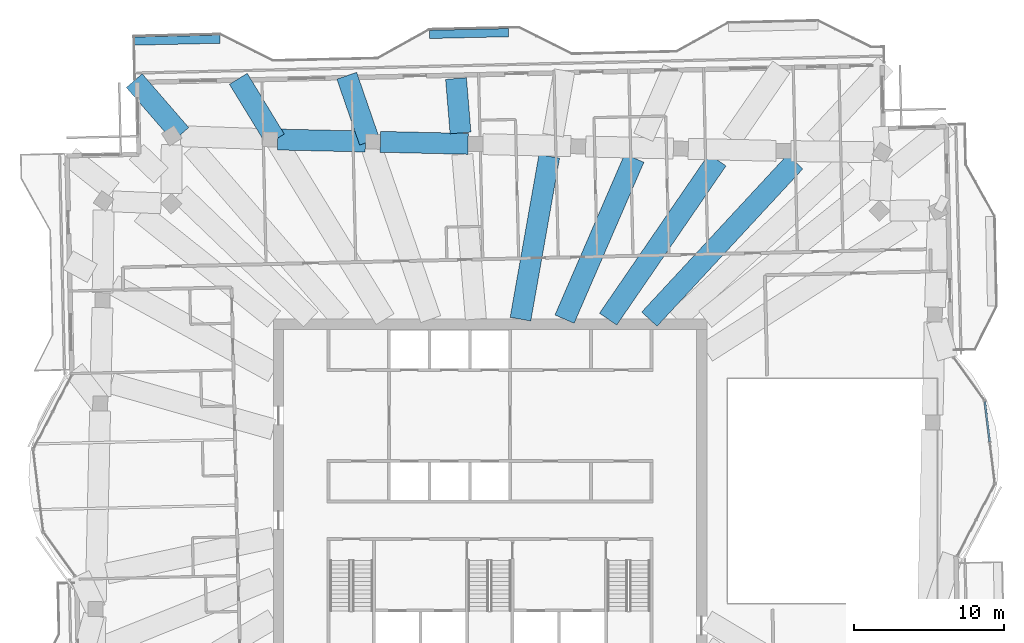
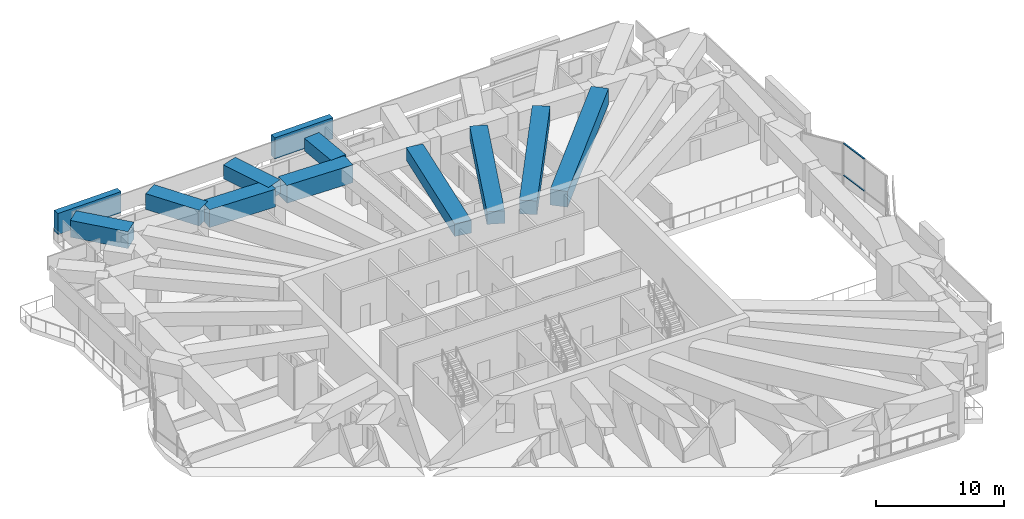
# One storey, part 6 of 21: 10 beams, 4 members, 1 element without a shape of its own.
"""IFC4 building model written with IfcOpenShell, lengths in metres."""

import ifcopenshell
import ifcopenshell.guid

model = None  # the IFC model being written
_history = None  # IfcOwnerHistory: only IFC2X3 demands one
_inside = {}  # id of a spatial element -> (the spatial element, [elements in it])
_under = {}  # id of a project, library or spatial element -> (it, [spatial elements below it])
_declared = {}  # id of a project -> (the project, [libraries it declares])
_typed = {}  # id of a type object -> (the type object, [elements of that type])
_made_of = {}  # id of a material, layer set ... -> (it, [elements and type objects made of it])


def new_model(schema):
    """Start an empty IFC model of exactly this schema.

    Asked for "IFC4X3", IfcOpenShell would pick the latest addendum, in which some entities
    have other attributes; the version numbers below select the first issue.
    IFC2X3 requires an IfcOwnerHistory on every rooted entity: one is made here for all.
    """
    global model, _history
    if schema == "IFC4X3":
        model = ifcopenshell.file(schema_version=(4, 3, 0, 0))
    else:
        model = ifcopenshell.file(schema=schema)
    _inside.clear()
    _under.clear()
    _declared.clear()
    _typed.clear()
    _made_of.clear()
    _history = None
    if model.schema == "IFC2X3":
        org = make("IfcOrganization", Name="unknown")
        user = make(
            "IfcPersonAndOrganization",
            ThePerson=make("IfcPerson", FamilyName="unknown"),
            TheOrganization=org,
        )
        app = make(
            "IfcApplication",
            ApplicationDeveloper=org,
            Version="unknown",
            ApplicationFullName="unknown",
            ApplicationIdentifier="unknown",
        )
        _history = make(
            "IfcOwnerHistory",
            OwningUser=user,
            OwningApplication=app,
            ChangeAction="ADDED",
            CreationDate=0,
        )
    return model


def make(cls, **values):
    """One entity of the class cls with the attributes given. An attribute that is None is left unset."""
    return model.create_entity(
        cls, **{name: value for name, value in values.items() if value is not None}
    )


def rooted(cls, **values):
    """An entity with a GlobalId (a new one), such as an element, a storey or a relation."""
    return make(cls, GlobalId=ifcopenshell.guid.new(), OwnerHistory=_history, **values)


def si_unit(unit_type, name, prefix=None):
    """IfcSIUnit, for example si_unit("LENGTHUNIT", "METRE", prefix="MILLI")."""
    return make("IfcSIUnit", UnitType=unit_type, Prefix=prefix, Name=name)


def assignment(units):
    """IfcUnitAssignment: the units of a project."""
    return None if units is None else make("IfcUnitAssignment", Units=units)


def point(xyz):
    """IfcCartesianPoint."""
    return None if xyz is None else make("IfcCartesianPoint", Coordinates=xyz)


def direction(xyz):
    """IfcDirection."""
    return None if xyz is None else make("IfcDirection", DirectionRatios=xyz)


def frame(location, z_axis=None, x_axis=None):
    """IfcAxis2Placement3D, a coordinate frame: its origin and axes. An axis left out is left unset."""
    return make(
        "IfcAxis2Placement3D",
        Location=point(location),
        Axis=direction(z_axis),
        RefDirection=direction(x_axis),
    )


def frame_2d(location, x_axis=None):
    """IfcAxis2Placement2D, a coordinate frame in the plane: its origin and x axis."""
    return make(
        "IfcAxis2Placement2D", Location=point(location), RefDirection=direction(x_axis)
    )


def origin():
    """The frame at (0, 0, 0) with its axes left unset."""
    return frame((0.0, 0.0, 0.0))


def origin_2d():
    """The frame at (0, 0) in the plane with its x axis left unset."""
    return frame_2d((0.0, 0.0))


def place(relative_to, where):
    """IfcLocalPlacement: puts the frame where relative to a parent placement (None: the world)."""
    return make(
        "IfcLocalPlacement", PlacementRelTo=relative_to, RelativePlacement=where
    )


def context(
    kind, dimensions, precision=None, world=None, true_north=None, identifier=None
):
    """IfcGeometricRepresentationContext, for example the 3D "Model" context."""
    return make(
        "IfcGeometricRepresentationContext",
        ContextIdentifier=identifier,
        ContextType=kind,
        CoordinateSpaceDimension=dimensions,
        Precision=precision,
        WorldCoordinateSystem=world,
        TrueNorth=true_north,
    )


def subcontext(parent, identifier, kind, view, scale=None):
    """IfcGeometricRepresentationSubContext, for example "Body" below "Model"."""
    return make(
        "IfcGeometricRepresentationSubContext",
        ContextIdentifier=identifier,
        ContextType=kind,
        ParentContext=parent,
        TargetScale=scale,
        TargetView=view,
    )


def project(units=None, contexts=None):
    """IfcProject with its units and contexts."""
    return rooted(
        "IfcProject",
        Name="project",
        RepresentationContexts=contexts,
        UnitsInContext=assignment(units),
    )


def spatial(cls, under=None, at=None, **own):
    """A site, building, storey or space (cls), placed at a placement, below another one or the project."""
    s = rooted(cls, ObjectPlacement=at, **own)
    if under is not None:
        _under.setdefault(under.id(), (under, []))[1].append(s)
    return s


def profile(cls, at=None, kind="AREA", **sizes):
    """A parametric profile (cls). Its sizes go by their IFC names, for example OverallWidth=200.0."""
    return make(cls, ProfileType=kind, Position=at, **sizes)


def rectangle(**sizes):
    """IfcRectangleProfileDef."""
    return profile("IfcRectangleProfileDef", **sizes)


def extrude(swept, where, along, depth):
    """IfcExtrudedAreaSolid: the profile swept, set in the frame where, extruded along a direction by depth."""
    return make(
        "IfcExtrudedAreaSolid",
        SweptArea=swept,
        Position=where,
        ExtrudedDirection=direction(along),
        Depth=depth,
    )


def shape(context_of_items, identifier, shape_type, items):
    """IfcShapeRepresentation: the items that make up one representation, for example the "Body"."""
    return make(
        "IfcShapeRepresentation",
        ContextOfItems=context_of_items,
        RepresentationIdentifier=identifier,
        RepresentationType=shape_type,
        Items=items,
    )


def material(Name=None, Category=None):
    """IfcMaterial."""
    return make("IfcMaterial", Name=Name, Category=Category)


def material_profile(
    of_material, cross_section, Name=None, Category=None, Priority=None
):
    """IfcMaterialProfile: a cross section and its material."""
    return make(
        "IfcMaterialProfile",
        Name=Name,
        Material=of_material,
        Profile=cross_section,
        Priority=Priority,
        Category=Category,
    )


def profile_set(profiles, Name=None, composite=None):
    """IfcMaterialProfileSet."""
    return make(
        "IfcMaterialProfileSet",
        Name=Name,
        MaterialProfiles=profiles,
        CompositeProfile=composite,
    )


def made_of(thing, what):
    """Note that an element or type object is made of a material, layer set ...; save() writes the relation."""
    if what is not None:
        _made_of.setdefault(what.id(), (what, []))[1].append(thing)
    return thing


def type_object(cls, material=None, **own):
    """A type object (cls), such as IfcWallType, which elements share."""
    return made_of(rooted(cls, **own), material)


def element(
    cls,
    number,
    at=None,
    inside=None,
    cuts=None,
    type_object=None,
    material=None,
    context=None,
    identifier="Body",
    shape_type=None,
    held_by="IfcProductDefinitionShape",
    body=None,
    shapes=None,
    **own,
):
    """One element of the class cls, such as IfcWall. Its Tag is "e" and its number.

    at: its placement. inside: the storey or other place that contains it. cuts: it is an
    opening in that element (IfcRelVoidsElement). A single representation is given by context,
    identifier, shape_type and body (its items); several are given by shapes. held_by: the class
    of the entity that holds the representations. save() writes the other relations.
    """
    e = rooted(cls, Tag="e%d" % number, ObjectPlacement=at, **own)
    if body is not None:
        shapes = [shape(context, identifier, shape_type, body)]
    if shapes is not None:
        e.Representation = make(held_by, Representations=shapes)
    if inside is not None:
        _inside.setdefault(inside.id(), (inside, []))[1].append(e)
    if cuts is not None:
        rooted(
            "IfcRelVoidsElement", RelatingBuildingElement=cuts, RelatedOpeningElement=e
        )
    if type_object is not None:
        _typed.setdefault(type_object.id(), (type_object, []))[1].append(e)
    return made_of(e, material)


def aggregate(whole, parts):
    """IfcRelAggregates: a whole, such as a stair, and the parts it consists of."""
    return rooted("IfcRelAggregates", RelatingObject=whole, RelatedObjects=parts)


def save(model, path):
    """Write the relations noted so far, then the file.

    IfcRelAggregates (storeys below a building ...), IfcRelContainedInSpatialStructure (elements
    in a storey), IfcRelDefinesByType, IfcRelAssociatesMaterial and IfcRelDeclares: one each for
    every whole, place, type object, material and project.
    """
    for whole, parts in _under.values():
        aggregate(whole, parts)
    for where, things in _inside.values():
        rooted(
            "IfcRelContainedInSpatialStructure",
            RelatedElements=things,
            RelatingStructure=where,
        )
    for kind, things in _typed.values():
        rooted("IfcRelDefinesByType", RelatedObjects=things, RelatingType=kind)
    for what, things in _made_of.values():
        rooted("IfcRelAssociatesMaterial", RelatedObjects=things, RelatingMaterial=what)
    for by, libraries in _declared.values():
        rooted("IfcRelDeclares", RelatingContext=by, RelatedDefinitions=libraries)
    model.write(path)


model = new_model("IFC4")

# Units and contexts
model_context = context("Model", 3, precision=1e-05, world=origin(), true_north=direction((0.0, 1.0)))
body_context = subcontext(model_context, "Body", "Model", "MODEL_VIEW")
ifc_project = project(units=[si_unit("LENGTHUNIT", "METRE"), si_unit("AREAUNIT", "SQUARE_METRE"), si_unit("VOLUMEUNIT", "CUBIC_METRE"), si_unit("PLANEANGLEUNIT", "RADIAN"), si_unit("MASSUNIT", "GRAM", prefix="KILO")], contexts=[model_context])

# Site, building, storey
site_placement = place(None, origin())
site = spatial("IfcSite", under=ifc_project, at=site_placement, CompositionType="ELEMENT")
building_placement = place(site_placement, origin())
building = spatial("IfcBuilding", under=site, at=building_placement, Name="Mangrove Gate Tower", CompositionType="ELEMENT")
storey_placement = place(building_placement, frame((0.0, 0.0, 275.300048828125)))
storey = spatial("IfcBuildingStorey", under=building, at=storey_placement, Name="L70", CompositionType="ELEMENT", Elevation=275.300048828125)

# Members
ifc_material_1 = material(Name="Planting on aluminium trellis", Category="aluminium")
ifc_material_profile_1 = material_profile(ifc_material_1, rectangle(XDim=0.550048828125, YDim=2.0, at=origin_2d()))
ifc_profile_set_1 = profile_set([ifc_material_profile_1], Name="Planting on aluminium trellis")
member_type_1 = type_object("IfcMemberType", Name="Balcony greenery screen 550x2000", PredefinedType="USERDEFINED", material=ifc_profile_set_1)
member_1_placement = place(storey_placement, frame((-23.820068359375, 30.095947265625, 1.800048828125), z_axis=(0.999745450448, 0.022561788682, 0.0), x_axis=(-0.022561788682, 0.999745450448, 0.0)))
element("IfcMember", 1, at=member_1_placement, inside=storey, type_object=member_type_1, Name="GREEN SCREEN L70 N1.1", ObjectType="PLANTING", PredefinedType="USERDEFINED", context=body_context, shape_type="SweptSolid", body=[
    extrude(rectangle(XDim=0.550048828125, YDim=2.0, at=origin_2d()), origin(), (0.0, 0.0, 1.0), 5.767578125),
])
member_2_placement = place(storey_placement, frame((-4.056884765625, 30.5439453125, 1.800048828125), z_axis=(0.999743070872, 0.022666985754, 0.0), x_axis=(-0.022666985754, 0.999743070872, 0.0)))
element("IfcMember", 2, at=member_2_placement, inside=storey, type_object=member_type_1, Name="GREEN SCREEN L70 N1.2", ObjectType="PLANTING", PredefinedType="USERDEFINED", context=body_context, shape_type="SweptSolid", body=[
    extrude(rectangle(XDim=0.550048828125, YDim=2.0, at=origin_2d()), origin(), (0.0, 0.0, 1.0), 5.29931640625),
])

# Curtain wall, members
ifc_material_2 = material(Name="Aluminium and glass curtain wall", Category="aluminium")
curtain_wall_type = type_object("IfcCurtainWallType", Name="Sky-lounge glazing wall", PredefinedType="NOTDEFINED", material=ifc_material_2)
curtain_wall_placement = place(storey_placement, origin())
curtain_wall = element("IfcCurtainWall", 3, at=curtain_wall_placement, inside=storey, type_object=curtain_wall_type, Name="Sky-lounge glazing E1f2", PredefinedType="NOTDEFINED")
ifc_material_3 = material(Name="Aluminium alloy 6063-T6", Category="aluminium")
ifc_material_profile_2 = material_profile(ifc_material_3, rectangle(XDim=0.06005859375, YDim=0.139892578125, at=origin_2d()))
ifc_profile_set_2 = profile_set([ifc_material_profile_2], Name="Aluminium alloy 6063-T6")
member_type_2 = type_object("IfcMemberType", Name="Sky-lounge glazing transom 60x140", PredefinedType="USERDEFINED", material=ifc_profile_set_2)
member_3_placement = place(storey_placement, frame((33.419677734375, 3.3017578125, 1.0), z_axis=(-0.122129132669, 0.992514219018, 0.0), x_axis=(0.0, 0.0, 1.0)))
member_3 = element("IfcMember", 4, at=member_3_placement, type_object=member_type_2, Name="CWK transom 2.2", ObjectType="TRANSOM", PredefinedType="USERDEFINED", context=body_context, shape_type="SweptSolid", body=[
    extrude(rectangle(XDim=0.06005859375, YDim=0.139892578125, at=origin_2d()), origin(), (0.0, 0.0, 1.0), 2.69677734375),
])
member_4_placement = place(storey_placement, frame((33.419677734375, 3.3017578125, 4.02001953125), z_axis=(-0.122129132669, 0.992514219018, 0.0), x_axis=(0.0, 0.0, 1.0)))
member_4 = element("IfcMember", 5, at=member_4_placement, type_object=member_type_2, Name="CWK transom 2.3", ObjectType="TRANSOM", PredefinedType="USERDEFINED", context=body_context, shape_type="SweptSolid", body=[
    extrude(rectangle(XDim=0.06005859375, YDim=0.139892578125, at=origin_2d()), origin(), (0.0, 0.0, 1.0), 2.69677734375),
])
aggregate(curtain_wall, [member_3, member_4])

# Beams
ifc_material_4 = material(Name="Concrete C50/60", Category="concrete")
ifc_material_profile_3 = material_profile(ifc_material_4, rectangle(XDim=1.39990234375, YDim=1.199951171875, at=origin_2d()))
ifc_profile_set_3 = profile_set([ifc_material_profile_3], Name="Concrete C50/60")
beam_type_1 = type_object("IfcBeamType", Name="Transfer girder RC 1400x1200 C50/60", PredefinedType="BEAM", material=ifc_profile_set_3)
beam_1_placement = place(storey_placement, frame((4.982421875, 11.5, 3.449951171875), z_axis=(0.397551396402, 0.917579907811, 0.0), x_axis=(-0.917579907811, 0.397551396402, 0.0)))
element("IfcBeam", 6, at=beam_1_placement, inside=storey, type_object=beam_type_1, Name="Transfer girder L70 24", PredefinedType="BEAM", context=body_context, shape_type="SweptSolid", body=[
    extrude(rectangle(XDim=1.39990234375, YDim=1.199951171875, at=origin_2d()), origin(), (0.0, 0.0, 1.0), 11.73681640625),
])
beam_2_placement = place(storey_placement, frame((2.0341796875, 11.5, 3.449951171875), z_axis=(0.174159310352, 0.984717489749, 0.0), x_axis=(-0.984717489749, 0.174159310352, 0.0)))
element("IfcBeam", 7, at=beam_2_placement, inside=storey, type_object=beam_type_1, Name="Transfer girder L70 25", PredefinedType="BEAM", context=body_context, shape_type="SweptSolid", body=[
    extrude(rectangle(XDim=1.39990234375, YDim=1.199951171875, at=origin_2d()), origin(), (0.0, 0.0, 1.0), 11.060302734375),
])
beam_3_placement = place(storey_placement, frame((-1.97607421875, 23.9541015625, 3.449951171875), z_axis=(-0.082226643196, 0.996613655911, 0.0), x_axis=(-0.996613655911, -0.082226643196, 0.0)))
element("IfcBeam", 8, at=beam_3_placement, inside=storey, type_object=beam_type_1, Name="Transfer cantilever girder L70 26", PredefinedType="BEAM", context=body_context, shape_type="SweptSolid", body=[
    extrude(rectangle(XDim=1.39990234375, YDim=1.199951171875, at=origin_2d()), origin(), (0.0, 0.0, 1.0), 3.652099609375),
])
ifc_material_5 = material(Name="Concrete C50/60", Category="concrete")
ifc_material_profile_4 = material_profile(ifc_material_5, rectangle(XDim=1.39990234375, YDim=1.300048828125, at=origin_2d()))
ifc_profile_set_4 = profile_set([ifc_material_profile_4], Name="Concrete C50/60")
beam_type_2 = type_object("IfcBeamType", Name="Transfer girder RC 1400x1300 C50/60", PredefinedType="BEAM", material=ifc_profile_set_4)
beam_4_placement = place(storey_placement, frame((7.896240234375, 11.5, 3.39990234375), z_axis=(0.56604965688, 0.82437114575, 0.0), x_axis=(-0.82437114575, 0.56604965688, 0.0)))
element("IfcBeam", 9, at=beam_4_placement, inside=storey, type_object=beam_type_2, Name="Transfer girder L70 23", PredefinedType="BEAM", context=body_context, shape_type="SweptSolid", body=[
    extrude(rectangle(XDim=1.39990234375, YDim=1.300048828125, at=origin_2d()), origin(), (0.0, 0.0, 1.0), 12.912109375),
])
beam_5_placement = place(storey_placement, frame((-8.064453125, 23.375244140625, 3.39990234375), z_axis=(-0.326160224767, 0.945314502047, 0.0), x_axis=(-0.945314502047, -0.326160224767, 0.0)))
element("IfcBeam", 10, at=beam_5_placement, inside=storey, type_object=beam_type_2, Name="Transfer cantilever girder L70 27", PredefinedType="BEAM", context=body_context, shape_type="SweptSolid", body=[
    extrude(rectangle(XDim=1.39990234375, YDim=1.300048828125, at=origin_2d()), origin(), (0.0, 0.0, 1.0), 4.65966796875),
])
ifc_material_6 = material(Name="Concrete C50/60", Category="concrete")
ifc_material_profile_5 = material_profile(ifc_material_6, rectangle(XDim=1.39990234375, YDim=1.5, at=origin_2d()))
ifc_profile_set_5 = profile_set([ifc_material_profile_5], Name="Concrete C50/60")
beam_type_3 = type_object("IfcBeamType", Name="Transfer girder RC 1400x1500 C50/60", PredefinedType="BEAM", material=ifc_profile_set_5)
beam_6_placement = place(storey_placement, frame((10.6552734375, 11.5, 3.300048828125), z_axis=(0.679649912661, 0.733536635908, 0.0), x_axis=(-0.733536635908, 0.679649912661, 0.0)))
element("IfcBeam", 11, at=beam_6_placement, inside=storey, type_object=beam_type_3, Name="Transfer girder L70 22", PredefinedType="BEAM", context=body_context, shape_type="SweptSolid", body=[
    extrude(rectangle(XDim=1.39990234375, YDim=1.5, at=origin_2d()), origin(), (0.0, 0.0, 1.0), 14.348388671875),
])
beam_7_placement = place(storey_placement, frame((-14.360107421875, 23.518310546875, 3.300048828125), z_axis=(-0.521113340703, 0.853487484467, 0.0), x_axis=(-0.853487484467, -0.521113340703, 0.0)))
element("IfcBeam", 12, at=beam_7_placement, inside=storey, type_object=beam_type_3, Name="Transfer cantilever girder L70 28", PredefinedType="BEAM", context=body_context, shape_type="SweptSolid", body=[
    extrude(rectangle(XDim=1.39990234375, YDim=1.5, at=origin_2d()), origin(), (0.0, 0.0, 1.0), 4.75244140625),
])
ifc_material_7 = material(Name="Concrete C50/60", Category="concrete")
ifc_material_profile_6 = material_profile(ifc_material_7, rectangle(XDim=1.39990234375, YDim=1.60009765625, at=origin_2d()))
ifc_profile_set_6 = profile_set([ifc_material_profile_6], Name="Concrete C50/60")
beam_type_4 = type_object("IfcBeamType", Name="Transfer girder RC 1400x1600 C50/60", PredefinedType="BEAM", material=ifc_profile_set_6)
beam_8_placement = place(storey_placement, frame((-20.681884765625, 23.85595703125, 3.25), z_axis=(-0.655036010822, 0.755597660482, 0.0), x_axis=(-0.755597660482, -0.655036010822, 0.0)))
element("IfcBeam", 13, at=beam_8_placement, inside=storey, type_object=beam_type_4, Name="Transfer cantilever girder L70 29", PredefinedType="BEAM", context=body_context, shape_type="SweptSolid", body=[
    extrude(rectangle(XDim=1.39990234375, YDim=1.60009765625, at=origin_2d()), origin(), (0.0, 0.0, 1.0), 4.758544921875),
])
ifc_material_8 = material(Name="Concrete C50/60", Category="concrete")
ifc_material_profile_7 = material_profile(ifc_material_8, rectangle(XDim=1.39990234375, YDim=1.699951171875, at=origin_2d()))
ifc_profile_set_7 = profile_set([ifc_material_profile_7], Name="Concrete C50/60")
beam_type_5 = type_object("IfcBeamType", Name="Transfer girder RC 1400x1700 C50/60", PredefinedType="BEAM", material=ifc_profile_set_7)
beam_9_placement = place(storey_placement, frame((-1.47021484375, 23.226318359375, 3.199951171875), z_axis=(-0.999744748613, 0.022592866593, 0.0), x_axis=(-0.022592866593, -0.999744748613, 0.0)))
element("IfcBeam", 14, at=beam_9_placement, inside=storey, type_object=beam_type_5, Name="Transfer ring girder L70 24", PredefinedType="BEAM", context=body_context, shape_type="SweptSolid", body=[
    extrude(rectangle(XDim=1.39990234375, YDim=1.699951171875, at=origin_2d()), origin(), (0.0, 0.0, 1.0), 5.86767578125),
])
beam_10_placement = place(storey_placement, frame((-8.336181640625, 23.381591796875, 3.199951171875), z_axis=(-0.999742779972, 0.022679812483, 0.0), x_axis=(-0.022679812483, -0.999742779972, 0.0)))
element("IfcBeam", 15, at=beam_10_placement, inside=storey, type_object=beam_type_5, Name="Transfer ring girder L70 25", PredefinedType="BEAM", context=body_context, shape_type="SweptSolid", body=[
    extrude(rectangle(XDim=1.39990234375, YDim=1.699951171875, at=origin_2d()), origin(), (0.0, 0.0, 1.0), 5.86669921875),
])

save(model, "model.ifc")
